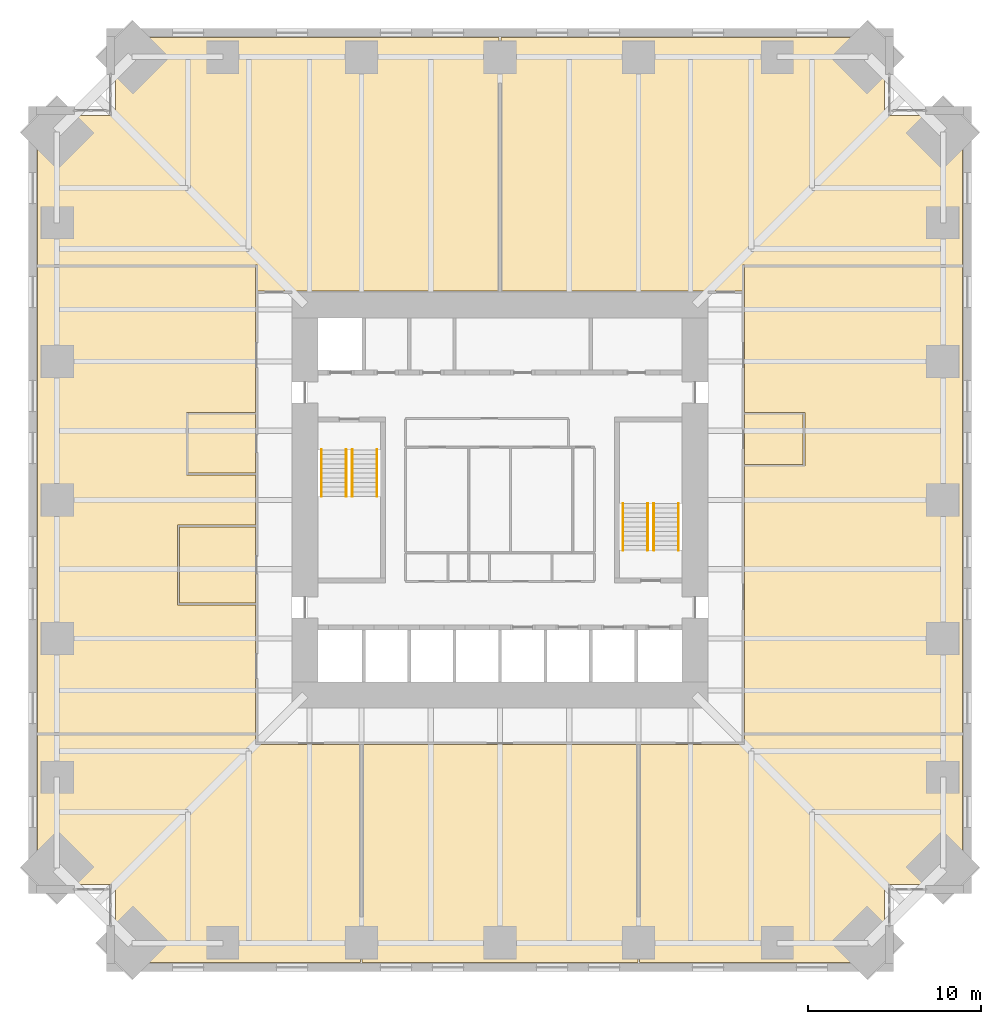
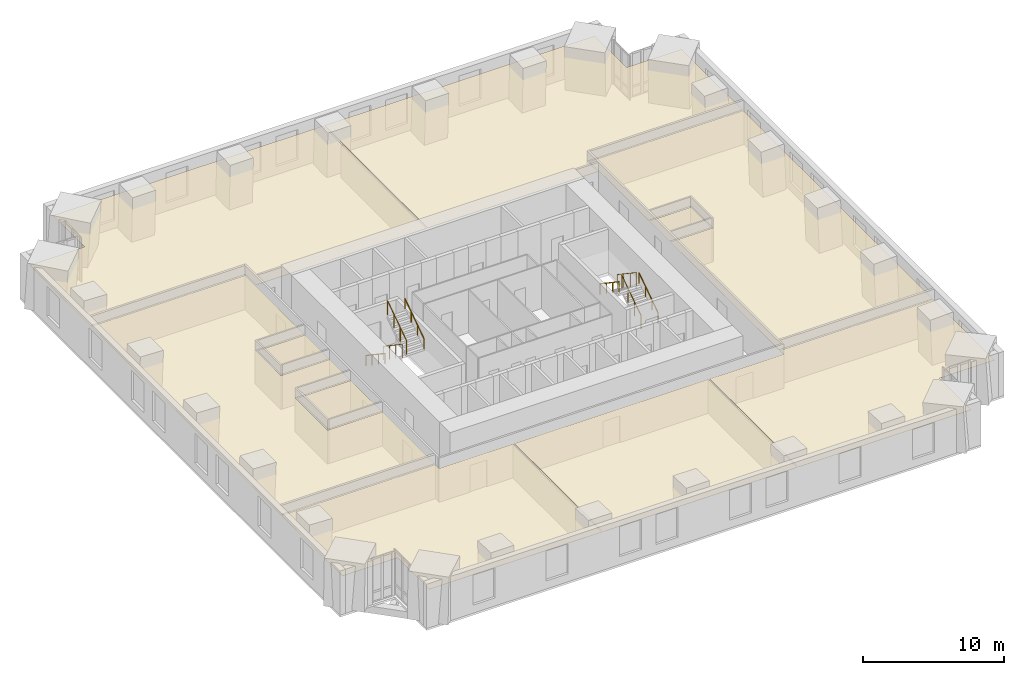
# One storey, part 16 of 16: 10 coverings, 8 railings.
"""IFC4 building model written with IfcOpenShell, lengths in metres."""

import ifcopenshell
import ifcopenshell.guid

model = None  # the IFC model being written
_history = None  # IfcOwnerHistory: only IFC2X3 demands one
_inside = {}  # id of a spatial element -> (the spatial element, [elements in it])
_under = {}  # id of a project, library or spatial element -> (it, [spatial elements below it])
_declared = {}  # id of a project -> (the project, [libraries it declares])
_typed = {}  # id of a type object -> (the type object, [elements of that type])
_made_of = {}  # id of a material, layer set ... -> (it, [elements and type objects made of it])


def new_model(schema):
    """Start an empty IFC model of exactly this schema.

    Asked for "IFC4X3", IfcOpenShell would pick the latest addendum, in which some entities
    have other attributes; the version numbers below select the first issue.
    IFC2X3 requires an IfcOwnerHistory on every rooted entity: one is made here for all.
    """
    global model, _history
    if schema == "IFC4X3":
        model = ifcopenshell.file(schema_version=(4, 3, 0, 0))
    else:
        model = ifcopenshell.file(schema=schema)
    _inside.clear()
    _under.clear()
    _declared.clear()
    _typed.clear()
    _made_of.clear()
    _history = None
    if model.schema == "IFC2X3":
        org = make("IfcOrganization", Name="unknown")
        user = make(
            "IfcPersonAndOrganization",
            ThePerson=make("IfcPerson", FamilyName="unknown"),
            TheOrganization=org,
        )
        app = make(
            "IfcApplication",
            ApplicationDeveloper=org,
            Version="unknown",
            ApplicationFullName="unknown",
            ApplicationIdentifier="unknown",
        )
        _history = make(
            "IfcOwnerHistory",
            OwningUser=user,
            OwningApplication=app,
            ChangeAction="ADDED",
            CreationDate=0,
        )
    return model


def make(cls, **values):
    """One entity of the class cls with the attributes given. An attribute that is None is left unset."""
    return model.create_entity(
        cls, **{name: value for name, value in values.items() if value is not None}
    )


def rooted(cls, **values):
    """An entity with a GlobalId (a new one), such as an element, a storey or a relation."""
    return make(cls, GlobalId=ifcopenshell.guid.new(), OwnerHistory=_history, **values)


def si_unit(unit_type, name, prefix=None):
    """IfcSIUnit, for example si_unit("LENGTHUNIT", "METRE", prefix="MILLI")."""
    return make("IfcSIUnit", UnitType=unit_type, Prefix=prefix, Name=name)


def assignment(units):
    """IfcUnitAssignment: the units of a project."""
    return None if units is None else make("IfcUnitAssignment", Units=units)


def point(xyz):
    """IfcCartesianPoint."""
    return None if xyz is None else make("IfcCartesianPoint", Coordinates=xyz)


def direction(xyz):
    """IfcDirection."""
    return None if xyz is None else make("IfcDirection", DirectionRatios=xyz)


def frame(location, z_axis=None, x_axis=None):
    """IfcAxis2Placement3D, a coordinate frame: its origin and axes. An axis left out is left unset."""
    return make(
        "IfcAxis2Placement3D",
        Location=point(location),
        Axis=direction(z_axis),
        RefDirection=direction(x_axis),
    )


def frame_2d(location, x_axis=None):
    """IfcAxis2Placement2D, a coordinate frame in the plane: its origin and x axis."""
    return make(
        "IfcAxis2Placement2D", Location=point(location), RefDirection=direction(x_axis)
    )


def origin():
    """The frame at (0, 0, 0) with its axes left unset."""
    return frame((0.0, 0.0, 0.0))


def origin_2d():
    """The frame at (0, 0) in the plane with its x axis left unset."""
    return frame_2d((0.0, 0.0))


def place(relative_to, where):
    """IfcLocalPlacement: puts the frame where relative to a parent placement (None: the world)."""
    return make(
        "IfcLocalPlacement", PlacementRelTo=relative_to, RelativePlacement=where
    )


def context(
    kind, dimensions, precision=None, world=None, true_north=None, identifier=None
):
    """IfcGeometricRepresentationContext, for example the 3D "Model" context."""
    return make(
        "IfcGeometricRepresentationContext",
        ContextIdentifier=identifier,
        ContextType=kind,
        CoordinateSpaceDimension=dimensions,
        Precision=precision,
        WorldCoordinateSystem=world,
        TrueNorth=true_north,
    )


def subcontext(parent, identifier, kind, view, scale=None):
    """IfcGeometricRepresentationSubContext, for example "Body" below "Model"."""
    return make(
        "IfcGeometricRepresentationSubContext",
        ContextIdentifier=identifier,
        ContextType=kind,
        ParentContext=parent,
        TargetScale=scale,
        TargetView=view,
    )


def project(units=None, contexts=None):
    """IfcProject with its units and contexts."""
    return rooted(
        "IfcProject",
        Name="project",
        RepresentationContexts=contexts,
        UnitsInContext=assignment(units),
    )


def spatial(cls, under=None, at=None, **own):
    """A site, building, storey or space (cls), placed at a placement, below another one or the project."""
    s = rooted(cls, ObjectPlacement=at, **own)
    if under is not None:
        _under.setdefault(under.id(), (under, []))[1].append(s)
    return s


def polyline(points):
    """IfcPolyline through the points."""
    return make("IfcPolyline", Points=[point(p) for p in points])


def profile(cls, at=None, kind="AREA", **sizes):
    """A parametric profile (cls). Its sizes go by their IFC names, for example OverallWidth=200.0."""
    return make(cls, ProfileType=kind, Position=at, **sizes)


def circle(**sizes):
    """IfcCircleProfileDef."""
    return profile("IfcCircleProfileDef", **sizes)


def outline(outer, holes=None, kind="AREA"):
    """IfcArbitraryClosedProfileDef: a profile drawn as a closed curve; with holes, ...WithVoids."""
    if holes is None:
        return make("IfcArbitraryClosedProfileDef", ProfileType=kind, OuterCurve=outer)
    return make(
        "IfcArbitraryProfileDefWithVoids",
        ProfileType=kind,
        OuterCurve=outer,
        InnerCurves=holes,
    )


def extrude(swept, where, along, depth):
    """IfcExtrudedAreaSolid: the profile swept, set in the frame where, extruded along a direction by depth."""
    return make(
        "IfcExtrudedAreaSolid",
        SweptArea=swept,
        Position=where,
        ExtrudedDirection=direction(along),
        Depth=depth,
    )


def shape(context_of_items, identifier, shape_type, items):
    """IfcShapeRepresentation: the items that make up one representation, for example the "Body"."""
    return make(
        "IfcShapeRepresentation",
        ContextOfItems=context_of_items,
        RepresentationIdentifier=identifier,
        RepresentationType=shape_type,
        Items=items,
    )


def material(Name=None, Category=None):
    """IfcMaterial."""
    return make("IfcMaterial", Name=Name, Category=Category)


def layer(
    of_material, thickness, ventilated=None, Name=None, Category=None, Priority=None
):
    """IfcMaterialLayer: one layer of a wall or slab, of a material (None: an air gap)."""
    return make(
        "IfcMaterialLayer",
        Material=of_material,
        LayerThickness=thickness,
        IsVentilated=ventilated,
        Name=Name,
        Category=Category,
        Priority=Priority,
    )


def layer_set(layers, Name=None):
    """IfcMaterialLayerSet."""
    return make("IfcMaterialLayerSet", MaterialLayers=layers, LayerSetName=Name)


def made_of(thing, what):
    """Note that an element or type object is made of a material, layer set ...; save() writes the relation."""
    if what is not None:
        _made_of.setdefault(what.id(), (what, []))[1].append(thing)
    return thing


def type_object(cls, material=None, **own):
    """A type object (cls), such as IfcWallType, which elements share."""
    return made_of(rooted(cls, **own), material)


def element(
    cls,
    number,
    at=None,
    inside=None,
    cuts=None,
    type_object=None,
    material=None,
    context=None,
    identifier="Body",
    shape_type=None,
    held_by="IfcProductDefinitionShape",
    body=None,
    shapes=None,
    **own,
):
    """One element of the class cls, such as IfcWall. Its Tag is "e" and its number.

    at: its placement. inside: the storey or other place that contains it. cuts: it is an
    opening in that element (IfcRelVoidsElement). A single representation is given by context,
    identifier, shape_type and body (its items); several are given by shapes. held_by: the class
    of the entity that holds the representations. save() writes the other relations.
    """
    e = rooted(cls, Tag="e%d" % number, ObjectPlacement=at, **own)
    if body is not None:
        shapes = [shape(context, identifier, shape_type, body)]
    if shapes is not None:
        e.Representation = make(held_by, Representations=shapes)
    if inside is not None:
        _inside.setdefault(inside.id(), (inside, []))[1].append(e)
    if cuts is not None:
        rooted(
            "IfcRelVoidsElement", RelatingBuildingElement=cuts, RelatedOpeningElement=e
        )
    if type_object is not None:
        _typed.setdefault(type_object.id(), (type_object, []))[1].append(e)
    return made_of(e, material)


def aggregate(whole, parts):
    """IfcRelAggregates: a whole, such as a stair, and the parts it consists of."""
    return rooted("IfcRelAggregates", RelatingObject=whole, RelatedObjects=parts)


def save(model, path):
    """Write the relations noted so far, then the file.

    IfcRelAggregates (storeys below a building ...), IfcRelContainedInSpatialStructure (elements
    in a storey), IfcRelDefinesByType, IfcRelAssociatesMaterial and IfcRelDeclares: one each for
    every whole, place, type object, material and project.
    """
    for whole, parts in _under.values():
        aggregate(whole, parts)
    for where, things in _inside.values():
        rooted(
            "IfcRelContainedInSpatialStructure",
            RelatedElements=things,
            RelatingStructure=where,
        )
    for kind, things in _typed.values():
        rooted("IfcRelDefinesByType", RelatedObjects=things, RelatingType=kind)
    for what, things in _made_of.values():
        rooted("IfcRelAssociatesMaterial", RelatedObjects=things, RelatingMaterial=what)
    for by, libraries in _declared.values():
        rooted("IfcRelDeclares", RelatingContext=by, RelatedDefinitions=libraries)
    model.write(path)


model = new_model("IFC4")

# Units and contexts
model_context = context("Model", 3, precision=1e-05, world=origin(), true_north=direction((0.0, 1.0)))
body_context = subcontext(model_context, "Body", "Model", "MODEL_VIEW")
ifc_project = project(units=[si_unit("LENGTHUNIT", "METRE"), si_unit("AREAUNIT", "SQUARE_METRE"), si_unit("VOLUMEUNIT", "CUBIC_METRE"), si_unit("PLANEANGLEUNIT", "RADIAN"), si_unit("MASSUNIT", "GRAM", prefix="KILO")], contexts=[model_context])

# Site, building, storey
site_placement = place(None, origin())
site = spatial("IfcSite", under=ifc_project, at=site_placement, CompositionType="ELEMENT")
building_placement = place(site_placement, origin())
building = spatial("IfcBuilding", under=site, at=building_placement, Name="Peilmerk Tower", CompositionType="ELEMENT")
storey_placement = place(building_placement, frame((0.0, 0.0, 131.800048828125)))
storey = spatial("IfcBuildingStorey", under=building, at=storey_placement, Name="L26", CompositionType="ELEMENT", Elevation=131.800048828125)

# Coverings
ifc_material_1 = material(Name="Mineral fibre ceiling tiles", Category="mineral")
ifc_layer = layer(ifc_material_1, 0.02490234375)
ifc_layer_set = layer_set([ifc_layer], Name="Mineral fibre ceiling tiles")
covering_type = type_object("IfcCoveringType", Name="CL1 25 suspended ceiling", PredefinedType="CEILING", material=ifc_layer_set)
covering_1_placement = place(storey_placement, frame((0.0, 0.0, 2.905029296875)))
element("IfcCovering", 1, at=covering_1_placement, inside=storey, type_object=covering_type, Name="Suspended ceiling Tenant suite", PredefinedType="CEILING", context=body_context, shape_type="SweptSolid", body=[
    extrude(outline(polyline([(-26.699951171875, 22.199951171875), (-26.699951171875, 13.550048828125), (-14.0, 13.550048828125), (-14.0, 12.050048828125), (-0.050048828125, 12.050048828125), (-0.050048828125, 26.699951171875), (-22.199951171875, 26.699951171875), (-22.199951171875, 22.199951171875), (-26.699951171875, 22.199951171875)])), origin(), (0.0, 0.0, 1.0), 0.02490234375),
])
covering_2_placement = place(storey_placement, frame((0.0, 0.0, 2.905029296875)))
element("IfcCovering", 2, at=covering_2_placement, inside=storey, type_object=covering_type, Name="Suspended ceiling Tenant suite", PredefinedType="CEILING", context=body_context, shape_type="SweptSolid", body=[
    extrude(outline(polyline([(22.199951171875, 26.699951171875), (0.050048828125, 26.699951171875), (0.050048828125, 12.050048828125), (14.0, 12.050048828125), (14.0, 13.550048828125), (26.699951171875, 13.550048828125), (26.699951171875, 22.199951171875), (22.199951171875, 22.199951171875), (22.199951171875, 26.699951171875)])), origin(), (0.0, 0.0, 1.0), 0.02490234375),
])
covering_3_placement = place(storey_placement, frame((0.0, 0.0, 2.905029296875)))
element("IfcCovering", 3, at=covering_3_placement, inside=storey, type_object=covering_type, Name="Suspended ceiling Tenant suite", PredefinedType="CEILING", context=body_context, shape_type="SweptSolid", body=[
    extrude(outline(polyline([(-22.199951171875, -26.699951171875), (-8.050048828125, -26.699951171875), (-8.050048828125, -14.10009765625), (-14.10009765625, -14.10009765625), (-14.10009765625, -13.550048828125), (-26.699951171875, -13.550048828125), (-26.699951171875, -22.199951171875), (-22.199951171875, -22.199951171875), (-22.199951171875, -26.699951171875)])), origin(), (0.0, 0.0, 1.0), 0.02490234375),
])
covering_4_placement = place(storey_placement, frame((0.0, 0.0, 2.905029296875)))
element("IfcCovering", 4, at=covering_4_placement, inside=storey, type_object=covering_type, Name="Suspended ceiling Client suite", PredefinedType="CEILING", context=body_context, shape_type="SweptSolid", body=[
    extrude(outline(polyline([(-7.949951171875, -26.699951171875), (7.949951171875, -26.699951171875), (7.949951171875, -14.10009765625), (-7.949951171875, -14.10009765625), (-7.949951171875, -26.699951171875)])), origin(), (0.0, 0.0, 1.0), 0.02490234375),
])
covering_5_placement = place(storey_placement, frame((0.0, 0.0, 2.905029296875)))
element("IfcCovering", 5, at=covering_5_placement, inside=storey, type_object=covering_type, Name="Suspended ceiling Tenant suite", PredefinedType="CEILING", context=body_context, shape_type="SweptSolid", body=[
    extrude(outline(polyline([(8.050048828125, -26.699951171875), (22.199951171875, -26.699951171875), (22.199951171875, -22.199951171875), (26.699951171875, -22.199951171875), (26.699951171875, -13.550048828125), (14.10009765625, -13.550048828125), (14.10009765625, -14.10009765625), (8.050048828125, -14.10009765625), (8.050048828125, -26.699951171875)])), origin(), (0.0, 0.0, 1.0), 0.02490234375),
])
covering_6_placement = place(storey_placement, frame((0.0, 0.0, 2.905029296875)))
element("IfcCovering", 6, at=covering_6_placement, inside=storey, type_object=covering_type, Name="Suspended ceiling Tenant suite", PredefinedType="CEILING", context=body_context, shape_type="SweptSolid", body=[
    extrude(outline(polyline([(14.10009765625, -13.449951171875), (26.699951171875, -13.449951171875), (26.699951171875, 13.449951171875), (14.10009765625, 13.449951171875), (14.10009765625, 5.050048828125), (17.60009765625, 5.050048828125), (17.60009765625, 1.949951171875), (14.10009765625, 1.949951171875), (14.10009765625, -13.449951171875)])), origin(), (0.0, 0.0, 1.0), 0.02490234375),
])
covering_7_placement = place(storey_placement, frame((0.0, 0.0, 2.905029296875)))
element("IfcCovering", 7, at=covering_7_placement, inside=storey, type_object=covering_type, Name="Suspended ceiling Focus room", PredefinedType="CEILING", context=body_context, shape_type="SweptSolid", body=[
    extrude(outline(polyline([(17.5, 2.050048828125), (17.5, 4.949951171875), (14.10009765625, 4.949951171875), (14.10009765625, 2.050048828125), (17.5, 2.050048828125)])), origin(), (0.0, 0.0, 1.0), 0.02490234375),
])
covering_8_placement = place(storey_placement, frame((0.0, 0.0, 2.905029296875)))
element("IfcCovering", 8, at=covering_8_placement, inside=storey, type_object=covering_type, Name="Suspended ceiling Tenant suite", PredefinedType="CEILING", context=body_context, shape_type="SweptSolid", body=[
    extrude(outline(polyline([(-14.10009765625, 13.449951171875), (-26.699951171875, 13.449951171875), (-26.699951171875, -13.449951171875), (-14.10009765625, -13.449951171875), (-14.10009765625, -6.050048828125), (-18.60009765625, -6.050048828125), (-18.60009765625, -1.449951171875), (-14.10009765625, -1.449951171875), (-14.10009765625, 1.449951171875), (-18.10009765625, 1.449951171875), (-18.10009765625, 5.050048828125), (-14.10009765625, 5.050048828125), (-14.10009765625, 13.449951171875)])), origin(), (0.0, 0.0, 1.0), 0.02490234375),
])
covering_9_placement = place(storey_placement, frame((0.0, 0.0, 2.905029296875)))
element("IfcCovering", 9, at=covering_9_placement, inside=storey, type_object=covering_type, Name="Suspended ceiling Meeting room", PredefinedType="CEILING", context=body_context, shape_type="SweptSolid", body=[
    extrude(outline(polyline([(-14.10009765625, -5.949951171875), (-14.10009765625, -1.550048828125), (-18.5, -1.550048828125), (-18.5, -5.949951171875), (-14.10009765625, -5.949951171875)])), origin(), (0.0, 0.0, 1.0), 0.02490234375),
])
covering_10_placement = place(storey_placement, frame((0.0, 0.0, 2.905029296875)))
element("IfcCovering", 10, at=covering_10_placement, inside=storey, type_object=covering_type, Name="Suspended ceiling Pantry", PredefinedType="CEILING", context=body_context, shape_type="SweptSolid", body=[
    extrude(outline(polyline([(-14.10009765625, 1.550048828125), (-14.10009765625, 4.949951171875), (-18.0, 4.949951171875), (-18.0, 1.550048828125), (-14.10009765625, 1.550048828125)])), origin(), (0.0, 0.0, 1.0), 0.02490234375),
])

# Railings
ifc_material_2 = material(Name="Steel flat bar balustrade", Category="steel")
railing_type_1 = type_object("IfcRailingType", Name="GR1 1200 stair guard", PredefinedType="GUARDRAIL", material=ifc_material_2)
railing_1_placement = place(storey_placement, frame((-8.8798828125, 2.89990234375, 0.181884765625)))
element("IfcRailing", 11, at=railing_1_placement, inside=storey, type_object=railing_type_1, Name="Guard stair 1 L26", PredefinedType="GUARDRAIL", context=body_context, shape_type="SweptSolid", body=[
    extrude(circle(Radius=0.02392578125, at=origin_2d()), frame((0.0, 0.0, 1.17578125), z_axis=(0.0, -0.829468130872, 0.55855404382), x_axis=(1.0, 0.0, 0.0)), (0.0, 0.0, 1.0), 3.255126953125),
    extrude(circle(Radius=0.02099609375, at=origin_2d()), origin(), (0.0, 0.0, 1.0), 1.15185546875),
    extrude(circle(Radius=0.02099609375, at=origin_2d()), frame((0.0, -0.89990234375, 0.60595703125)), (0.0, 0.0, 1.0), 1.15185546875),
    extrude(circle(Radius=0.02099609375, at=origin_2d()), frame((0.0, -1.800048828125, 1.212158203125)), (0.0, 0.0, 1.0), 1.15185546875),
    extrude(circle(Radius=0.02099609375, at=origin_2d()), frame((0.0, -2.699951171875, 1.818115234375)), (0.0, 0.0, 1.0), 1.15185546875),
])
for number, where, name in (
    (12, (-8.52001953125, 0.199951171875, 2.181884765625), "Guard stair 1 L26"),
    (13, (8.8798828125, -2.89990234375, 0.181884765625), "Guard stair 2 L26"),
):
    element("IfcRailing", number, at=place(storey_placement, frame(where)), inside=storey, type_object=railing_type_1, Name=name, PredefinedType="GUARDRAIL", context=body_context, shape_type="SweptSolid", body=[
        extrude(circle(Radius=0.02392578125, at=origin_2d()), frame((0.0, 0.0, 1.17578125), z_axis=(0.0, 0.829468130872, 0.55855404382), x_axis=(-1.0, 0.0, 0.0)), (0.0, 0.0, 1.0), 3.255126953125),
        extrude(circle(Radius=0.02099609375, at=origin_2d()), origin(), (0.0, 0.0, 1.0), 1.15185546875),
        extrude(circle(Radius=0.02099609375, at=origin_2d()), frame((0.0, 0.89990234375, 0.60595703125)), (0.0, 0.0, 1.0), 1.15185546875),
        extrude(circle(Radius=0.02099609375, at=origin_2d()), frame((0.0, 1.800048828125, 1.212158203125)), (0.0, 0.0, 1.0), 1.15185546875),
        extrude(circle(Radius=0.02099609375, at=origin_2d()), frame((0.0, 2.699951171875, 1.818115234375)), (0.0, 0.0, 1.0), 1.15185546875),
    ])
railing_2_placement = place(storey_placement, frame((8.52001953125, -0.199951171875, 2.181884765625)))
element("IfcRailing", 14, at=railing_2_placement, inside=storey, type_object=railing_type_1, Name="Guard stair 2 L26", PredefinedType="GUARDRAIL", context=body_context, shape_type="SweptSolid", body=[
    extrude(circle(Radius=0.02392578125, at=origin_2d()), frame((0.0, 0.0, 1.17578125), z_axis=(0.0, -0.829468130872, 0.55855404382), x_axis=(1.0, 0.0, 0.0)), (0.0, 0.0, 1.0), 3.255126953125),
    extrude(circle(Radius=0.02099609375, at=origin_2d()), origin(), (0.0, 0.0, 1.0), 1.15185546875),
    extrude(circle(Radius=0.02099609375, at=origin_2d()), frame((0.0, -0.89990234375, 0.60595703125)), (0.0, 0.0, 1.0), 1.15185546875),
    extrude(circle(Radius=0.02099609375, at=origin_2d()), frame((0.0, -1.800048828125, 1.212158203125)), (0.0, 0.0, 1.0), 1.15185546875),
    extrude(circle(Radius=0.02099609375, at=origin_2d()), frame((0.0, -2.699951171875, 1.818115234375)), (0.0, 0.0, 1.0), 1.15185546875),
])
ifc_material_3 = material(Name="Stainless steel tube", Category="steel")
railing_type_2 = type_object("IfcRailingType", Name="HR1 900 stair handrail", PredefinedType="HANDRAIL", material=ifc_material_3)
railing_3_placement = place(storey_placement, frame((-10.300048828125, 2.89990234375, 0.181884765625)))
element("IfcRailing", 15, at=railing_3_placement, inside=storey, type_object=railing_type_2, Name="Handrail stair 1 L26", PredefinedType="HANDRAIL", context=body_context, shape_type="SweptSolid", body=[
    extrude(circle(Radius=0.02392578125, at=origin_2d()), frame((0.0, 0.0, 0.8759765625), z_axis=(0.0, -0.829468130872, 0.55855404382), x_axis=(1.0, 0.0, 0.0)), (0.0, 0.0, 1.0), 3.255126953125),
    extrude(circle(Radius=0.02099609375, at=origin_2d()), origin(), (0.0, 0.0, 1.0), 0.851806640625),
    extrude(circle(Radius=0.02099609375, at=origin_2d()), frame((0.0, -0.89990234375, 0.60595703125)), (0.0, 0.0, 1.0), 0.851806640625),
    extrude(circle(Radius=0.02099609375, at=origin_2d()), frame((0.0, -1.800048828125, 1.212158203125)), (0.0, 0.0, 1.0), 0.851806640625),
    extrude(circle(Radius=0.02099609375, at=origin_2d()), frame((0.0, -2.699951171875, 1.818115234375)), (0.0, 0.0, 1.0), 0.851806640625),
])
for number, where, name in (
    (16, (-7.10009765625, 0.199951171875, 2.181884765625), "Handrail stair 1 L26"),
    (17, (10.300048828125, -2.89990234375, 0.181884765625), "Handrail stair 2 L26"),
):
    element("IfcRailing", number, at=place(storey_placement, frame(where)), inside=storey, type_object=railing_type_2, Name=name, PredefinedType="HANDRAIL", context=body_context, shape_type="SweptSolid", body=[
        extrude(circle(Radius=0.02392578125, at=origin_2d()), frame((0.0, 0.0, 0.8759765625), z_axis=(0.0, 0.829468130872, 0.55855404382), x_axis=(-1.0, 0.0, 0.0)), (0.0, 0.0, 1.0), 3.255126953125),
        extrude(circle(Radius=0.02099609375, at=origin_2d()), origin(), (0.0, 0.0, 1.0), 0.851806640625),
        extrude(circle(Radius=0.02099609375, at=origin_2d()), frame((0.0, 0.89990234375, 0.60595703125)), (0.0, 0.0, 1.0), 0.851806640625),
        extrude(circle(Radius=0.02099609375, at=origin_2d()), frame((0.0, 1.800048828125, 1.212158203125)), (0.0, 0.0, 1.0), 0.851806640625),
        extrude(circle(Radius=0.02099609375, at=origin_2d()), frame((0.0, 2.699951171875, 1.818115234375)), (0.0, 0.0, 1.0), 0.851806640625),
    ])
railing_4_placement = place(storey_placement, frame((7.10009765625, -0.199951171875, 2.181884765625)))
element("IfcRailing", 18, at=railing_4_placement, inside=storey, type_object=railing_type_2, Name="Handrail stair 2 L26", PredefinedType="HANDRAIL", context=body_context, shape_type="SweptSolid", body=[
    extrude(circle(Radius=0.02392578125, at=origin_2d()), frame((0.0, 0.0, 0.8759765625), z_axis=(0.0, -0.829468130872, 0.55855404382), x_axis=(1.0, 0.0, 0.0)), (0.0, 0.0, 1.0), 3.255126953125),
    extrude(circle(Radius=0.02099609375, at=origin_2d()), origin(), (0.0, 0.0, 1.0), 0.851806640625),
    extrude(circle(Radius=0.02099609375, at=origin_2d()), frame((0.0, -0.89990234375, 0.60595703125)), (0.0, 0.0, 1.0), 0.851806640625),
    extrude(circle(Radius=0.02099609375, at=origin_2d()), frame((0.0, -1.800048828125, 1.212158203125)), (0.0, 0.0, 1.0), 0.851806640625),
    extrude(circle(Radius=0.02099609375, at=origin_2d()), frame((0.0, -2.699951171875, 1.818115234375)), (0.0, 0.0, 1.0), 0.851806640625),
])

save(model, "model.ifc")
